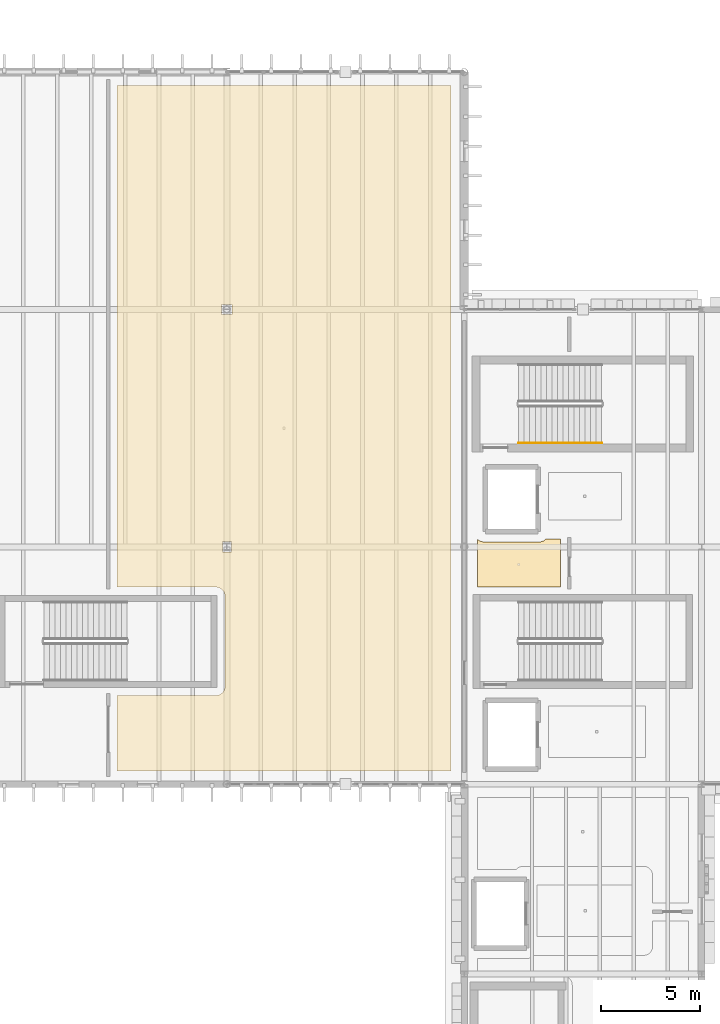
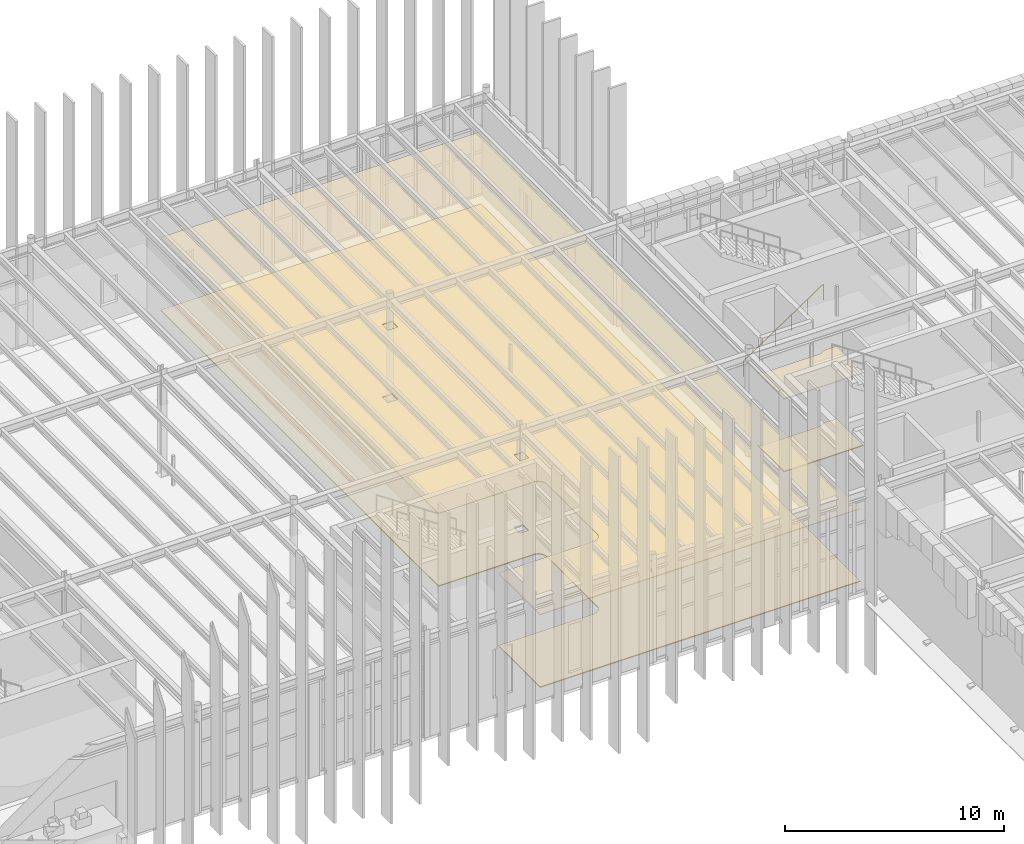
# One storey, part 70 of 83: 4 coverings, 1 railing.
"""IFC4 building model written with IfcOpenShell, lengths in metres."""

import ifcopenshell
import ifcopenshell.guid

model = None  # the IFC model being written
_history = None  # IfcOwnerHistory: only IFC2X3 demands one
_inside = {}  # id of a spatial element -> (the spatial element, [elements in it])
_under = {}  # id of a project, library or spatial element -> (it, [spatial elements below it])
_declared = {}  # id of a project -> (the project, [libraries it declares])
_typed = {}  # id of a type object -> (the type object, [elements of that type])
_made_of = {}  # id of a material, layer set ... -> (it, [elements and type objects made of it])


def new_model(schema):
    """Start an empty IFC model of exactly this schema.

    Asked for "IFC4X3", IfcOpenShell would pick the latest addendum, in which some entities
    have other attributes; the version numbers below select the first issue.
    IFC2X3 requires an IfcOwnerHistory on every rooted entity: one is made here for all.
    """
    global model, _history
    if schema == "IFC4X3":
        model = ifcopenshell.file(schema_version=(4, 3, 0, 0))
    else:
        model = ifcopenshell.file(schema=schema)
    _inside.clear()
    _under.clear()
    _declared.clear()
    _typed.clear()
    _made_of.clear()
    _history = None
    if model.schema == "IFC2X3":
        org = make("IfcOrganization", Name="unknown")
        user = make(
            "IfcPersonAndOrganization",
            ThePerson=make("IfcPerson", FamilyName="unknown"),
            TheOrganization=org,
        )
        app = make(
            "IfcApplication",
            ApplicationDeveloper=org,
            Version="unknown",
            ApplicationFullName="unknown",
            ApplicationIdentifier="unknown",
        )
        _history = make(
            "IfcOwnerHistory",
            OwningUser=user,
            OwningApplication=app,
            ChangeAction="ADDED",
            CreationDate=0,
        )
    return model


def make(cls, **values):
    """One entity of the class cls with the attributes given. An attribute that is None is left unset."""
    return model.create_entity(
        cls, **{name: value for name, value in values.items() if value is not None}
    )


def rooted(cls, **values):
    """An entity with a GlobalId (a new one), such as an element, a storey or a relation."""
    return make(cls, GlobalId=ifcopenshell.guid.new(), OwnerHistory=_history, **values)


def si_unit(unit_type, name, prefix=None):
    """IfcSIUnit, for example si_unit("LENGTHUNIT", "METRE", prefix="MILLI")."""
    return make("IfcSIUnit", UnitType=unit_type, Prefix=prefix, Name=name)


def assignment(units):
    """IfcUnitAssignment: the units of a project."""
    return None if units is None else make("IfcUnitAssignment", Units=units)


def point(xyz):
    """IfcCartesianPoint."""
    return None if xyz is None else make("IfcCartesianPoint", Coordinates=xyz)


def direction(xyz):
    """IfcDirection."""
    return None if xyz is None else make("IfcDirection", DirectionRatios=xyz)


def frame(location, z_axis=None, x_axis=None):
    """IfcAxis2Placement3D, a coordinate frame: its origin and axes. An axis left out is left unset."""
    return make(
        "IfcAxis2Placement3D",
        Location=point(location),
        Axis=direction(z_axis),
        RefDirection=direction(x_axis),
    )


def frame_2d(location, x_axis=None):
    """IfcAxis2Placement2D, a coordinate frame in the plane: its origin and x axis."""
    return make(
        "IfcAxis2Placement2D", Location=point(location), RefDirection=direction(x_axis)
    )


def origin():
    """The frame at (0, 0, 0) with its axes left unset."""
    return frame((0.0, 0.0, 0.0))


def origin_2d():
    """The frame at (0, 0) in the plane with its x axis left unset."""
    return frame_2d((0.0, 0.0))


def place(relative_to, where):
    """IfcLocalPlacement: puts the frame where relative to a parent placement (None: the world)."""
    return make(
        "IfcLocalPlacement", PlacementRelTo=relative_to, RelativePlacement=where
    )


def context(
    kind, dimensions, precision=None, world=None, true_north=None, identifier=None
):
    """IfcGeometricRepresentationContext, for example the 3D "Model" context."""
    return make(
        "IfcGeometricRepresentationContext",
        ContextIdentifier=identifier,
        ContextType=kind,
        CoordinateSpaceDimension=dimensions,
        Precision=precision,
        WorldCoordinateSystem=world,
        TrueNorth=true_north,
    )


def subcontext(parent, identifier, kind, view, scale=None):
    """IfcGeometricRepresentationSubContext, for example "Body" below "Model"."""
    return make(
        "IfcGeometricRepresentationSubContext",
        ContextIdentifier=identifier,
        ContextType=kind,
        ParentContext=parent,
        TargetScale=scale,
        TargetView=view,
    )


def project(units=None, contexts=None):
    """IfcProject with its units and contexts."""
    return rooted(
        "IfcProject",
        Name="project",
        RepresentationContexts=contexts,
        UnitsInContext=assignment(units),
    )


def spatial(cls, under=None, at=None, **own):
    """A site, building, storey or space (cls), placed at a placement, below another one or the project."""
    s = rooted(cls, ObjectPlacement=at, **own)
    if under is not None:
        _under.setdefault(under.id(), (under, []))[1].append(s)
    return s


def polyline(points):
    """IfcPolyline through the points."""
    return make("IfcPolyline", Points=[point(p) for p in points])


def profile(cls, at=None, kind="AREA", **sizes):
    """A parametric profile (cls). Its sizes go by their IFC names, for example OverallWidth=200.0."""
    return make(cls, ProfileType=kind, Position=at, **sizes)


def circle(**sizes):
    """IfcCircleProfileDef."""
    return profile("IfcCircleProfileDef", **sizes)


def outline(outer, holes=None, kind="AREA"):
    """IfcArbitraryClosedProfileDef: a profile drawn as a closed curve; with holes, ...WithVoids."""
    if holes is None:
        return make("IfcArbitraryClosedProfileDef", ProfileType=kind, OuterCurve=outer)
    return make(
        "IfcArbitraryProfileDefWithVoids",
        ProfileType=kind,
        OuterCurve=outer,
        InnerCurves=holes,
    )


def extrude(swept, where, along, depth):
    """IfcExtrudedAreaSolid: the profile swept, set in the frame where, extruded along a direction by depth."""
    return make(
        "IfcExtrudedAreaSolid",
        SweptArea=swept,
        Position=where,
        ExtrudedDirection=direction(along),
        Depth=depth,
    )


def shape(context_of_items, identifier, shape_type, items):
    """IfcShapeRepresentation: the items that make up one representation, for example the "Body"."""
    return make(
        "IfcShapeRepresentation",
        ContextOfItems=context_of_items,
        RepresentationIdentifier=identifier,
        RepresentationType=shape_type,
        Items=items,
    )


def material(Name=None, Category=None):
    """IfcMaterial."""
    return make("IfcMaterial", Name=Name, Category=Category)


def layer(
    of_material, thickness, ventilated=None, Name=None, Category=None, Priority=None
):
    """IfcMaterialLayer: one layer of a wall or slab, of a material (None: an air gap)."""
    return make(
        "IfcMaterialLayer",
        Material=of_material,
        LayerThickness=thickness,
        IsVentilated=ventilated,
        Name=Name,
        Category=Category,
        Priority=Priority,
    )


def layer_set(layers, Name=None):
    """IfcMaterialLayerSet."""
    return make("IfcMaterialLayerSet", MaterialLayers=layers, LayerSetName=Name)


def made_of(thing, what):
    """Note that an element or type object is made of a material, layer set ...; save() writes the relation."""
    if what is not None:
        _made_of.setdefault(what.id(), (what, []))[1].append(thing)
    return thing


def type_object(cls, material=None, **own):
    """A type object (cls), such as IfcWallType, which elements share."""
    return made_of(rooted(cls, **own), material)


def element(
    cls,
    number,
    at=None,
    inside=None,
    cuts=None,
    type_object=None,
    material=None,
    context=None,
    identifier="Body",
    shape_type=None,
    held_by="IfcProductDefinitionShape",
    body=None,
    shapes=None,
    **own,
):
    """One element of the class cls, such as IfcWall. Its Tag is "e" and its number.

    at: its placement. inside: the storey or other place that contains it. cuts: it is an
    opening in that element (IfcRelVoidsElement). A single representation is given by context,
    identifier, shape_type and body (its items); several are given by shapes. held_by: the class
    of the entity that holds the representations. save() writes the other relations.
    """
    e = rooted(cls, Tag="e%d" % number, ObjectPlacement=at, **own)
    if body is not None:
        shapes = [shape(context, identifier, shape_type, body)]
    if shapes is not None:
        e.Representation = make(held_by, Representations=shapes)
    if inside is not None:
        _inside.setdefault(inside.id(), (inside, []))[1].append(e)
    if cuts is not None:
        rooted(
            "IfcRelVoidsElement", RelatingBuildingElement=cuts, RelatedOpeningElement=e
        )
    if type_object is not None:
        _typed.setdefault(type_object.id(), (type_object, []))[1].append(e)
    return made_of(e, material)


def aggregate(whole, parts):
    """IfcRelAggregates: a whole, such as a stair, and the parts it consists of."""
    return rooted("IfcRelAggregates", RelatingObject=whole, RelatedObjects=parts)


def save(model, path):
    """Write the relations noted so far, then the file.

    IfcRelAggregates (storeys below a building ...), IfcRelContainedInSpatialStructure (elements
    in a storey), IfcRelDefinesByType, IfcRelAssociatesMaterial and IfcRelDeclares: one each for
    every whole, place, type object, material and project.
    """
    for whole, parts in _under.values():
        aggregate(whole, parts)
    for where, things in _inside.values():
        rooted(
            "IfcRelContainedInSpatialStructure",
            RelatedElements=things,
            RelatingStructure=where,
        )
    for kind, things in _typed.values():
        rooted("IfcRelDefinesByType", RelatedObjects=things, RelatingType=kind)
    for what, things in _made_of.values():
        rooted("IfcRelAssociatesMaterial", RelatedObjects=things, RelatingMaterial=what)
    for by, libraries in _declared.values():
        rooted("IfcRelDeclares", RelatingContext=by, RelatedDefinitions=libraries)
    model.write(path)


model = new_model("IFC4")

# Units and contexts
model_context = context("Model", 3, precision=1e-05, world=origin(), true_north=direction((0.0, 1.0)))
body_context = subcontext(model_context, "Body", "Model", "MODEL_VIEW")
ifc_project = project(units=[si_unit("LENGTHUNIT", "METRE"), si_unit("AREAUNIT", "SQUARE_METRE"), si_unit("VOLUMEUNIT", "CUBIC_METRE"), si_unit("PLANEANGLEUNIT", "RADIAN"), si_unit("MASSUNIT", "GRAM", prefix="KILO")], contexts=[model_context])

# Site, building, storey
site_placement = place(None, origin())
site = spatial("IfcSite", under=ifc_project, at=site_placement, CompositionType="ELEMENT")
building_placement = place(site_placement, origin())
building = spatial("IfcBuilding", under=site, at=building_placement, Name="Zlatogorsky Bluff Art Gallery", CompositionType="ELEMENT")
storey_placement = place(building_placement, frame((0.0, 0.0, 10.800048828125)))
storey = spatial("IfcBuildingStorey", under=building, at=storey_placement, Name="L02", CompositionType="ELEMENT", Elevation=10.800048828125)

# Coverings
ifc_material_1 = material(Name="Perforated Gypsum Acoustic Board", Category="gypsum")
ifc_layer_1 = layer(ifc_material_1, 0.0400390625)
ifc_layer_set_1 = layer_set([ifc_layer_1], Name="Acoustic Gallery Ceiling CLG-01")
covering_type_1 = type_object("IfcCoveringType", Name="Acoustic Gallery Ceiling CLG-01", PredefinedType="CEILING", material=ifc_layer_set_1)
covering_1_placement = place(storey_placement, frame((0.0, 0.0, 4.050048828125)))
element("IfcCovering", 1, at=covering_1_placement, inside=storey, type_object=covering_type_1, Name="Avant-Garde Exhibition Hall acoustic ceiling", PredefinedType="CEILING", context=body_context, shape_type="SweptSolid", body=[
    extrude(outline(polyline([(119.330078125, 84.669921875), (102.449951171875, 84.669921875), (102.449951171875, 88.489990234375), (107.450927734375, 88.489990234375), (107.495361328125, 88.4921875), (107.539306640625, 88.498779296875), (107.540283203125, 88.498779296875), (107.549560546875, 88.5009765625), (107.550537109375, 88.501220703125), (107.59375, 88.512939453125), (107.6357421875, 88.529296875), (107.637451171875, 88.530029296875), (107.673095703125, 88.5478515625), (107.674072265625, 88.54833984375), (107.706298828125, 88.568115234375), (107.73681640625, 88.59033203125), (107.73828125, 88.591552734375), (107.775390625, 88.624755859375), (107.80859375, 88.661865234375), (107.809814453125, 88.663330078125), (107.83203125, 88.693603515625), (107.851806640625, 88.725830078125), (107.852294921875, 88.726806640625), (107.8701171875, 88.762451171875), (107.870849609375, 88.764404296875), (107.886962890625, 88.80615234375), (107.89892578125, 88.849609375), (107.899169921875, 88.850341796875), (107.901123046875, 88.859619140625), (107.9013671875, 88.860595703125), (107.90771484375, 88.90478515625), (107.909912109375, 88.948974609375), (107.909912109375, 93.5009765625), (107.90771484375, 93.54541015625), (107.9013671875, 93.58935546875), (107.901123046875, 93.59033203125), (107.899169921875, 93.599609375), (107.89892578125, 93.6005859375), (107.886962890625, 93.643798828125), (107.870849609375, 93.685791015625), (107.8701171875, 93.6875), (107.852294921875, 93.72314453125), (107.851806640625, 93.72412109375), (107.83203125, 93.75634765625), (107.809814453125, 93.78662109375), (107.80859375, 93.7880859375), (107.775390625, 93.8251953125), (107.73828125, 93.8583984375), (107.73681640625, 93.859619140625), (107.706298828125, 93.882080078125), (107.674072265625, 93.901611328125), (107.673095703125, 93.902099609375), (107.637451171875, 93.919921875), (107.63671875, 93.92041015625), (107.6357421875, 93.9208984375), (107.59375, 93.93701171875), (107.550537109375, 93.948974609375), (107.549560546875, 93.94921875), (107.540283203125, 93.951171875), (107.539306640625, 93.951416015625), (107.495361328125, 93.957763671875), (107.450927734375, 93.9599609375), (102.449951171875, 93.9599609375), (102.449951171875, 119.330078125), (119.330078125, 119.330078125), (119.330078125, 84.669921875)]), holes=[polyline([(107.77001953125, 95.739990234375), (108.22998046875, 95.739990234375), (108.22998046875, 96.260009765625), (107.77001953125, 96.260009765625), (107.77001953125, 95.739990234375)]), polyline([(107.7421875, 107.7421875), (108.2578125, 107.7421875), (108.2578125, 108.2578125), (107.7421875, 108.2578125), (107.7421875, 107.7421875)])]), origin(), (0.0, 0.0, 1.0), 0.039794921875),
])
covering_2_placement = place(storey_placement, frame((0.0, 0.0, 4.050048828125)))
element("IfcCovering", 2, at=covering_2_placement, inside=storey, type_object=covering_type_1, Name="Artists' Critique and Printmaking Studio acoustic ceiling", PredefinedType="CEILING", context=body_context, shape_type="SweptSolid", body=[
    extrude(outline(polyline([(120.669921875, 96.394775390625), (120.681884765625, 96.3818359375), (120.714599609375, 96.35205078125), (120.75, 96.32568359375), (120.787841796875, 96.302978515625), (120.827880859375, 96.2841796875), (120.869384765625, 96.269287109375), (120.912109375, 96.258544921875), (120.955810546875, 96.252197265625), (121.0, 96.25), (123.800048828125, 96.25), (123.843994140625, 96.252197265625), (123.8876953125, 96.258544921875), (123.9306640625, 96.269287109375), (123.97216796875, 96.2841796875), (124.01220703125, 96.302978515625), (124.050048828125, 96.32568359375), (124.08544921875, 96.35205078125), (124.1181640625, 96.3818359375), (124.134765625, 96.39990234375), (124.85498046875, 96.39990234375), (124.85498046875, 93.9599609375), (120.669921875, 93.9599609375), (120.669921875, 96.394775390625)])), origin(), (0.0, 0.0, 1.0), 0.039794921875),
])

# Railing
ifc_material_2 = material(Name="Brushed Stainless Steel", Category="steel")
railing_type = type_object("IfcRailingType", Name="Stair Pitch Handrail 900mm", PredefinedType="HANDRAIL", material=ifc_material_2)
railing_placement = place(storey_placement, frame((122.75, 101.25, 0.1875)))
element("IfcRailing", 3, at=railing_placement, inside=storey, type_object=railing_type, Name="L02 ST-03 stair handrail 1", PredefinedType="HANDRAIL", context=body_context, shape_type="SweptSolid", body=[
    extrude(circle(Radius=0.02392578125, at=origin_2d()), frame((0.0, 0.0, 0.8759765625), z_axis=(0.830904186295, 0.0, 0.556415522067), x_axis=(0.0, 1.0, 0.0)), (0.0, 0.0, 1.0), 5.0546875),
    extrude(circle(Radius=0.02099609375, at=origin_2d()), origin(), (0.0, 0.0, 1.0), 0.851806640625),
    extrude(circle(Radius=0.02099609375, at=origin_2d()), frame((0.840087890625, 0.0, 0.5625)), (0.0, 0.0, 1.0), 0.851806640625),
    extrude(circle(Radius=0.02099609375, at=origin_2d()), frame((1.679931640625, 0.0, 1.125)), (0.0, 0.0, 1.0), 0.851806640625),
    extrude(circle(Radius=0.02099609375, at=origin_2d()), frame((2.52001953125, 0.0, 1.6875)), (0.0, 0.0, 1.0), 0.851806640625),
    extrude(circle(Radius=0.02099609375, at=origin_2d()), frame((3.35986328125, 0.0, 2.25)), (0.0, 0.0, 1.0), 0.851806640625),
    extrude(circle(Radius=0.02099609375, at=origin_2d()), frame((4.199951171875, 0.0, 2.8125)), (0.0, 0.0, 1.0), 0.851806640625),
])

# Coverings
ifc_material_3 = material(Name="Polished Ural Marble Terrazzo", Category="masonry")
ifc_layer_2 = layer(ifc_material_3, 0.050048828125)
ifc_layer_set_2 = layer_set([ifc_layer_2], Name="Terrazzo Gallery Flooring FLR-01")
covering_type_2 = type_object("IfcCoveringType", Name="Terrazzo Gallery Flooring FLR-01", PredefinedType="FLOORING", material=ifc_layer_set_2)
covering_3_placement = place(storey_placement, origin())
element("IfcCovering", 4, at=covering_3_placement, inside=storey, type_object=covering_type_2, Name="Avant-Garde Exhibition Hall terrazzo floor finish", PredefinedType="FLOORING", context=body_context, shape_type="SweptSolid", body=[
    extrude(outline(polyline([(119.330078125, 84.669921875), (102.449951171875, 84.669921875), (102.449951171875, 88.489990234375), (107.450927734375, 88.489990234375), (107.495361328125, 88.4921875), (107.539306640625, 88.498779296875), (107.540283203125, 88.498779296875), (107.549560546875, 88.5009765625), (107.550537109375, 88.501220703125), (107.59375, 88.512939453125), (107.6357421875, 88.529296875), (107.637451171875, 88.530029296875), (107.673095703125, 88.5478515625), (107.674072265625, 88.54833984375), (107.706298828125, 88.568115234375), (107.73681640625, 88.59033203125), (107.73828125, 88.591552734375), (107.775390625, 88.624755859375), (107.80859375, 88.661865234375), (107.809814453125, 88.663330078125), (107.83203125, 88.693603515625), (107.851806640625, 88.725830078125), (107.852294921875, 88.726806640625), (107.8701171875, 88.762451171875), (107.870849609375, 88.764404296875), (107.886962890625, 88.80615234375), (107.89892578125, 88.849609375), (107.899169921875, 88.850341796875), (107.901123046875, 88.859619140625), (107.9013671875, 88.860595703125), (107.90771484375, 88.90478515625), (107.909912109375, 88.948974609375), (107.909912109375, 93.5009765625), (107.90771484375, 93.54541015625), (107.9013671875, 93.58935546875), (107.901123046875, 93.59033203125), (107.899169921875, 93.599609375), (107.89892578125, 93.6005859375), (107.886962890625, 93.643798828125), (107.870849609375, 93.685791015625), (107.8701171875, 93.6875), (107.852294921875, 93.72314453125), (107.851806640625, 93.72412109375), (107.83203125, 93.75634765625), (107.809814453125, 93.78662109375), (107.80859375, 93.7880859375), (107.775390625, 93.8251953125), (107.73828125, 93.8583984375), (107.73681640625, 93.859619140625), (107.706298828125, 93.882080078125), (107.674072265625, 93.901611328125), (107.673095703125, 93.902099609375), (107.637451171875, 93.919921875), (107.63671875, 93.92041015625), (107.6357421875, 93.9208984375), (107.59375, 93.93701171875), (107.550537109375, 93.948974609375), (107.549560546875, 93.94921875), (107.540283203125, 93.951171875), (107.539306640625, 93.951416015625), (107.495361328125, 93.957763671875), (107.450927734375, 93.9599609375), (102.449951171875, 93.9599609375), (102.449951171875, 119.330078125), (119.330078125, 119.330078125), (119.330078125, 84.669921875)]), holes=[polyline([(107.77001953125, 95.739990234375), (108.22998046875, 95.739990234375), (108.22998046875, 96.260009765625), (107.77001953125, 96.260009765625), (107.77001953125, 95.739990234375)]), polyline([(107.7421875, 107.7421875), (108.2578125, 107.7421875), (108.2578125, 108.2578125), (107.7421875, 108.2578125), (107.7421875, 107.7421875)])]), origin(), (0.0, 0.0, 1.0), 0.050048828125),
])
covering_4_placement = place(storey_placement, origin())
element("IfcCovering", 5, at=covering_4_placement, inside=storey, type_object=covering_type_2, Name="Artists' Critique and Printmaking Studio terrazzo floor finish", PredefinedType="FLOORING", context=body_context, shape_type="SweptSolid", body=[
    extrude(outline(polyline([(120.669921875, 96.394775390625), (120.681884765625, 96.3818359375), (120.714599609375, 96.35205078125), (120.75, 96.32568359375), (120.787841796875, 96.302978515625), (120.827880859375, 96.2841796875), (120.869384765625, 96.269287109375), (120.912109375, 96.258544921875), (120.955810546875, 96.252197265625), (121.0, 96.25), (123.800048828125, 96.25), (123.843994140625, 96.252197265625), (123.8876953125, 96.258544921875), (123.9306640625, 96.269287109375), (123.97216796875, 96.2841796875), (124.01220703125, 96.302978515625), (124.050048828125, 96.32568359375), (124.08544921875, 96.35205078125), (124.1181640625, 96.3818359375), (124.134765625, 96.39990234375), (124.85498046875, 96.39990234375), (124.85498046875, 93.9599609375), (120.669921875, 93.9599609375), (120.669921875, 96.394775390625)])), origin(), (0.0, 0.0, 1.0), 0.050048828125),
])

save(model, "model.ifc")
